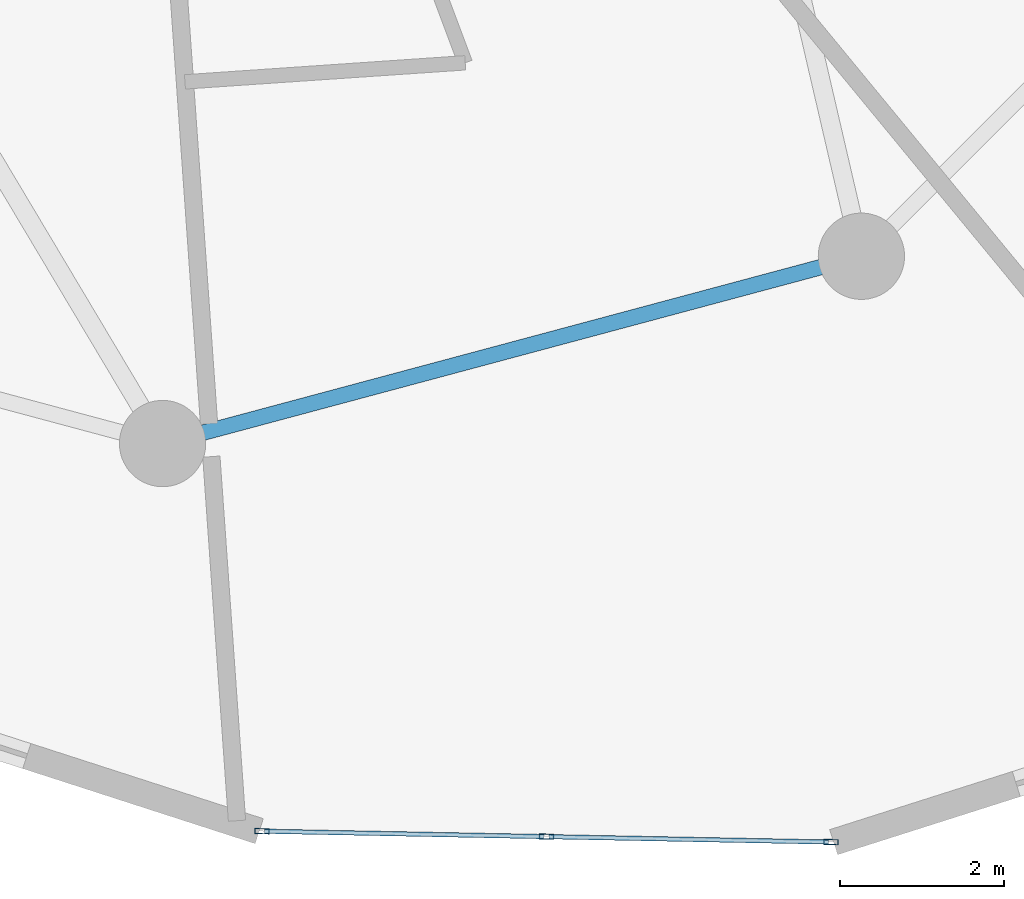
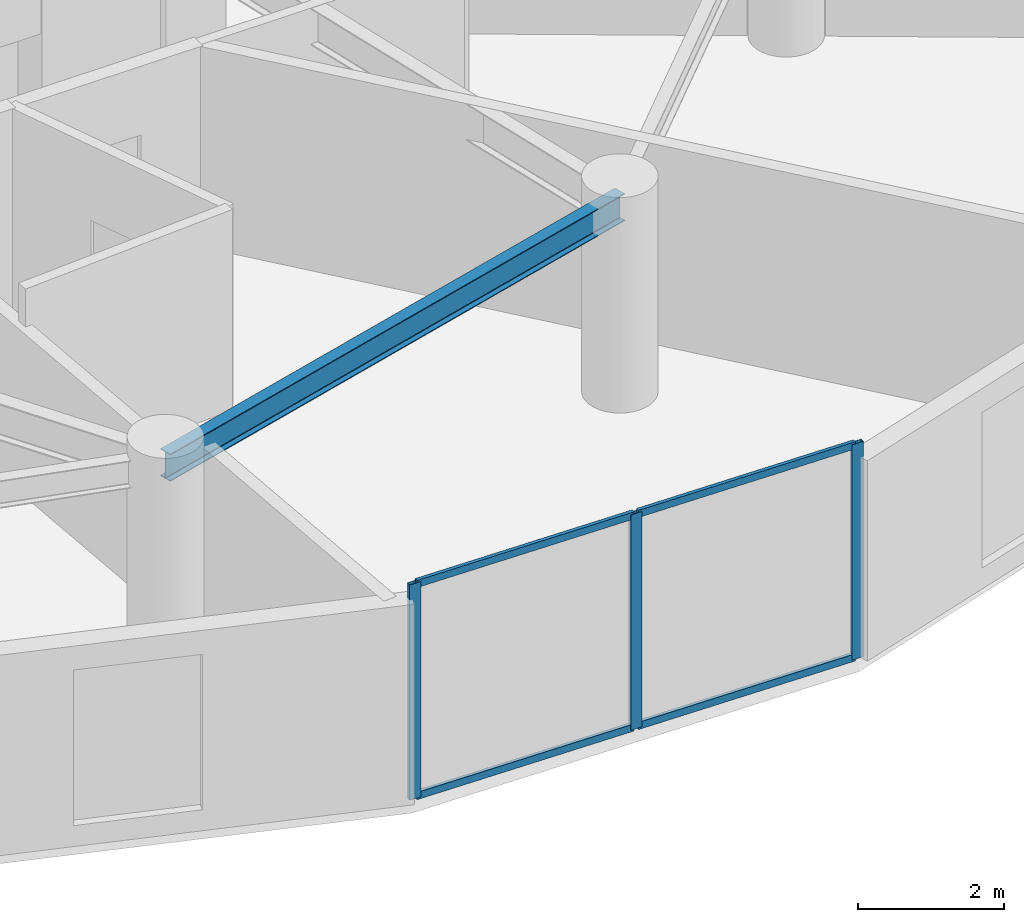
# One storey, part 2 of 20: 7 members, 1 beam, 1 element without a shape of its own.
"""IFC4 building model written with IfcOpenShell, lengths in metres."""

from ifc_helpers import new_model, si_unit, direction, frame, origin, origin_2d, place, context, subcontext, project, spatial, hollow_rectangle, i_section, extrude, source, transform, mapped, material, layer, layer_set, material_profile, profile_set, type_object, element, aggregate, save


model = new_model("IFC4")

# Units and contexts
model_context = context("Model", 3, precision=1e-05, world=origin(), true_north=direction((0.0, 1.0)))
body_context = subcontext(model_context, "Body", "Model", "MODEL_VIEW")
ifc_project = project(units=[si_unit("LENGTHUNIT", "METRE"), si_unit("AREAUNIT", "SQUARE_METRE"), si_unit("VOLUMEUNIT", "CUBIC_METRE"), si_unit("PLANEANGLEUNIT", "RADIAN"), si_unit("MASSUNIT", "GRAM", prefix="KILO")], contexts=[model_context])

# Site, building, storey
site_placement = place(None, origin())
site = spatial("IfcSite", under=ifc_project, at=site_placement, CompositionType="ELEMENT")
building_placement = place(site_placement, origin())
building = spatial("IfcBuilding", under=site, at=building_placement, Name="Solvirekh Grand Hotel", CompositionType="ELEMENT")
storey_placement = place(building_placement, frame((0.0, 0.0, 135.0)))
storey = spatial("IfcBuildingStorey", under=building, at=storey_placement, Name="L34", CompositionType="ELEMENT", Elevation=135.0)

# Beam
ifc_material_1 = material(Name="Steel S355", Category="steel")
ifc_material_profile_1 = material_profile(ifc_material_1, i_section(OverallWidth=0.18994140625, OverallDepth=0.45703125, WebThickness=0.009033203125, FlangeThickness=0.013916015625, FilletRadius=0.012939453125, at=origin_2d()), Name="W460X74")
ifc_profile_set_1 = profile_set([ifc_material_profile_1], Name="Steel S355")
beam_type = type_object("IfcBeamType", Name="Spandrel_Ring_W460", PredefinedType="SPANDREL", material=ifc_profile_set_1)
beam_placement = place(storey_placement, frame((0.0, -17.0, 3.12109375), z_axis=(0.965911391906, 0.258872908946, 0.0), x_axis=(-0.258872908946, 0.965911391906, 0.0)))
element("IfcBeam", 1, at=beam_placement, inside=storey, type_object=beam_type, Name="L34 perimeter spandrel beam 10", PredefinedType="SPANDREL", context=body_context, shape_type="SweptSolid", body=[
    extrude(i_section(OverallWidth=0.18994140625, OverallDepth=0.45703125, WebThickness=0.009033203125, FlangeThickness=0.013916015625, FilletRadius=0.012939453125, at=origin_2d()), origin(), (0.0, 0.0, 1.0), 8.800048828125),
])

# Curtain wall, members
ifc_material_2 = material(Name="Anodized Bronze Aluminium 6063-T6", Category="aluminium")
ifc_layer = layer(ifc_material_2, 0.175048828125)
ifc_layer_set = layer_set([ifc_layer], Name="Anodized Bronze Aluminium 6063-T6")
curtain_wall_type = type_object("IfcCurtainWallType", Name="CW_Sys3_MidZoneFlushBronzeCW", PredefinedType="NOTDEFINED", material=ifc_layer_set)
curtain_wall_placement = place(storey_placement, origin())
curtain_wall = element("IfcCurtainWall", 2, at=curtain_wall_placement, inside=storey, type_object=curtain_wall_type, Name="L34 unitised bronze-glass curtain wall CW-L34-C18", PredefinedType="NOTDEFINED")
ifc_material_profile_2 = material_profile(ifc_material_2, hollow_rectangle(XDim=0.054931640625, YDim=0.1201171875, WallThickness=0.00390625, at=origin_2d()), Name="ALU RHS 120X55X4")
ifc_profile_set_2 = profile_set([ifc_material_profile_2], Name="Anodized Bronze Aluminium 6063-T6")
member_type_1 = type_object("IfcMemberType", Name="CWTransom_Sys3", PredefinedType="USERDEFINED", material=ifc_profile_set_2)
shared_shape_1 = source(origin(), body_context, "Body", "SweptSolid", [
    extrude(hollow_rectangle(XDim=0.054931640625, YDim=0.1201171875, WallThickness=0.00390625, at=origin_2d()), origin(), (0.0, 0.0, 1.0), 3.397216796875),
])
member_1_placement = place(storey_placement, frame((1.239990234375, -21.71630859375, 0.027587890625), z_axis=(0.999815883193, -0.019188530823, 0.0), x_axis=(0.019188530823, 0.999815883193, 0.0)))
member_1 = element("IfcMember", 3, at=member_1_placement, type_object=member_type_1, Name="U03 transom 1.1", ObjectType="TRANSOM", PredefinedType="USERDEFINED", context=body_context, shape_type="MappedRepresentation", body=[
    mapped(shared_shape_1, transform((0.0, 0.0, 0.0), x_axis=(1.0, 0.0, 0.0), y_axis=(0.0, 1.0, 0.0), z_axis=(0.0, 0.0, 1.0), scale=1.0)),
])
member_2_placement = place(storey_placement, frame((1.239990234375, -21.71630859375, 3.572509765625), z_axis=(0.999815883193, -0.019188530823, 0.0), x_axis=(0.019188530823, 0.999815883193, 0.0)))
member_2 = element("IfcMember", 4, at=member_2_placement, type_object=member_type_1, Name="U03 transom 1.2", ObjectType="TRANSOM", PredefinedType="USERDEFINED", context=body_context, shape_type="MappedRepresentation", body=[
    mapped(shared_shape_1, transform((0.0, 0.0, 0.0), x_axis=(1.0, 0.0, 0.0), y_axis=(0.0, 1.0, 0.0), z_axis=(0.0, 0.0, 1.0), scale=1.0)),
])
member_3_placement = place(storey_placement, frame((4.701416015625, -21.78271484375, 0.027587890625), z_axis=(0.999817259385, -0.01911668998, 0.0), x_axis=(0.01911668998, 0.999817259385, 0.0)))
member_3 = element("IfcMember", 5, at=member_3_placement, type_object=member_type_1, Name="U03 transom 2.1", ObjectType="TRANSOM", PredefinedType="USERDEFINED", context=body_context, shape_type="MappedRepresentation", body=[
    mapped(shared_shape_1, transform((0.0, 0.0, 0.0), x_axis=(1.0, 0.0, 0.0), y_axis=(0.0, 1.0, 0.0), z_axis=(0.0, 0.0, 1.0), scale=1.0)),
])
member_4_placement = place(storey_placement, frame((4.701416015625, -21.78271484375, 3.572509765625), z_axis=(0.999817259385, -0.01911668998, 0.0), x_axis=(0.01911668998, 0.999817259385, 0.0)))
member_4 = element("IfcMember", 6, at=member_4_placement, type_object=member_type_1, Name="U03 transom 2.2", ObjectType="TRANSOM", PredefinedType="USERDEFINED", context=body_context, shape_type="MappedRepresentation", body=[
    mapped(shared_shape_1, transform((0.0, 0.0, 0.0), x_axis=(1.0, 0.0, 0.0), y_axis=(0.0, 1.0, 0.0), z_axis=(0.0, 0.0, 1.0), scale=1.0)),
])
ifc_material_profile_3 = material_profile(ifc_material_2, hollow_rectangle(XDim=0.06494140625, YDim=0.175048828125, WallThickness=0.0048828125, at=origin_2d()), Name="ALU RHS 175X65X5")
ifc_profile_set_3 = profile_set([ifc_material_profile_3], Name="Anodized Bronze Aluminium 6063-T6")
member_type_2 = type_object("IfcMemberType", Name="CWMullion_Sys3", PredefinedType="MULLION", material=ifc_profile_set_3)
shared_shape_2 = source(origin(), body_context, "Body", "SweptSolid", [
    extrude(hollow_rectangle(XDim=0.06494140625, YDim=0.175048828125, WallThickness=0.0048828125, at=origin_2d()), origin(), (0.0, 0.0, 1.0), 3.60009765625),
])
member_5_placement = place(storey_placement, frame((1.20751953125, -21.715576171875, 0.0), z_axis=(0.0, 0.0, 1.0), x_axis=(0.019172205256, 0.999816196381, 0.0)))
member_5 = element("IfcMember", 7, at=member_5_placement, type_object=member_type_2, Name="U03 mullion 1", PredefinedType="MULLION", context=body_context, shape_type="MappedRepresentation", body=[
    mapped(shared_shape_2, transform((0.0, 0.0, 0.0), x_axis=(1.0, 0.0, 0.0), y_axis=(0.0, 1.0, 0.0), z_axis=(0.0, 0.0, 1.0), scale=1.0)),
])
member_6_placement = place(storey_placement, frame((4.6689453125, -21.781982421875, 0.0), z_axis=(0.0, 0.0, 1.0), x_axis=(0.019172205256, 0.999816196381, 0.0)))
member_6 = element("IfcMember", 8, at=member_6_placement, type_object=member_type_2, Name="U03 mullion 2", PredefinedType="MULLION", context=body_context, shape_type="MappedRepresentation", body=[
    mapped(shared_shape_2, transform((0.0, 0.0, 0.0), x_axis=(1.0, 0.0, 0.0), y_axis=(0.0, 1.0, 0.0), z_axis=(0.0, 0.0, 1.0), scale=1.0)),
])
member_7_placement = place(storey_placement, frame((8.130615234375, -21.848388671875, 0.0), z_axis=(0.0, 0.0, 1.0), x_axis=(0.019172205256, 0.999816196381, 0.0)))
member_7 = element("IfcMember", 9, at=member_7_placement, type_object=member_type_2, Name="U03 mullion 3", PredefinedType="MULLION", context=body_context, shape_type="MappedRepresentation", body=[
    mapped(shared_shape_2, transform((0.0, 0.0, 0.0), x_axis=(1.0, 0.0, 0.0), y_axis=(0.0, 1.0, 0.0), z_axis=(0.0, 0.0, 1.0), scale=1.0)),
])
aggregate(curtain_wall, [member_5, member_6, member_7, member_1, member_2, member_3, member_4])

save(model, "model.ifc")
